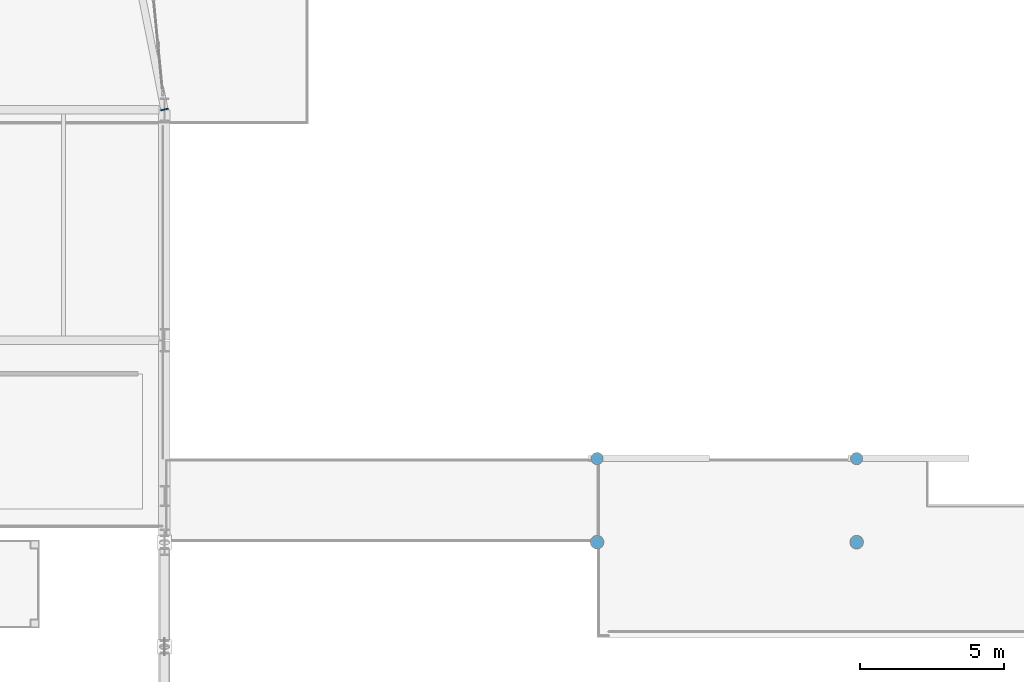
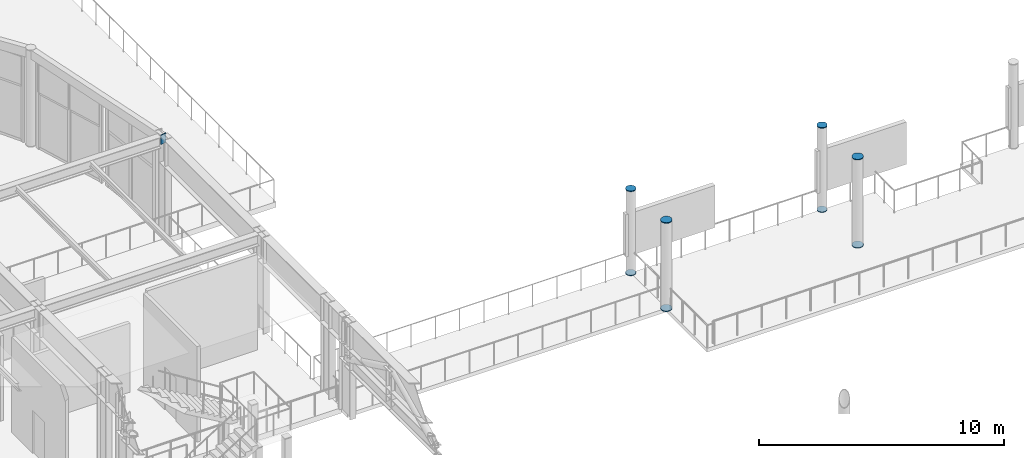
# One storey, part 112 of 143: 9 discrete accessories.
"""IFC4 building model written with IfcOpenShell, lengths in metres."""

from ifc_helpers import new_model, si_unit, direction, frame, origin, origin_2d, place, context, subcontext, project, spatial, rectangle, circle, extrude, material, element, save


model = new_model("IFC4")

# Units and contexts
model_context = context("Model", 3, precision=1e-05, world=origin(), true_north=direction((0.0, 1.0)))
body_context = subcontext(model_context, "Body", "Model", "MODEL_VIEW")
ifc_project = project(units=[si_unit("LENGTHUNIT", "METRE"), si_unit("AREAUNIT", "SQUARE_METRE"), si_unit("VOLUMEUNIT", "CUBIC_METRE"), si_unit("PLANEANGLEUNIT", "RADIAN"), si_unit("MASSUNIT", "GRAM", prefix="KILO")], contexts=[model_context])

# Site, building, storey
site_placement = place(None, origin())
site = spatial("IfcSite", under=ifc_project, at=site_placement, CompositionType="ELEMENT")
building_placement = place(site_placement, origin())
building = spatial("IfcBuilding", under=site, at=building_placement, Name="Marlcrest Central Station", CompositionType="ELEMENT")
storey_placement = place(building_placement, frame((0.0, 0.0, 4.800048828125)))
storey = spatial("IfcBuildingStorey", under=building, at=storey_placement, Name="L01", CompositionType="ELEMENT", Elevation=4.800048828125)

# Discrete accessories
ifc_material = material(Name="Steel S355", Category="steel")
for number, where, z_axis, x_axis, name in (
    (1, (144.0, 98.39990234375, -0.014892578125), (0.0, 0.0, 1.0), (1.0, 0.0, 0.0), "endcap-col-SC-10-L01-0503-s"),
    (2, (144.0, 98.39990234375, 4.175048828125), (0.0, 0.0, 1.0), (1.0, 0.0, 0.0), "endcap-col-SC-10-L01-0503-e"),
    (3, (153.0, 98.39990234375, -0.014892578125), (0.0, 0.0, 1.0), (1.0, 0.0, 0.0), "endcap-col-SC-10-L01-0504-s"),
    (4, (153.0, 98.39990234375, 4.175048828125), (0.0, 0.0, 1.0), (1.0, 0.0, 0.0), "endcap-col-SC-10-L01-0504-e"),
):
    element("IfcDiscreteAccessory", number, at=place(storey_placement, frame(where, z_axis=z_axis, x_axis=x_axis)), inside=storey, material=ifc_material, Name=name, ObjectType="END_CAP_PLATE", PredefinedType="BRACKET", context=body_context, shape_type="SweptSolid", body=[
        extrude(circle(Radius=0.211181640625, at=origin_2d()), origin(), (0.0, 0.0, 1.0), 0.0400390625),
    ])
for number, where, z_axis, x_axis, name in (
    (5, (144.0, 95.5, -0.014892578125), (0.0, 0.0, 1.0), (1.0, 0.0, 0.0), "endcap-col-SC-11-L01-0521-s"),
    (6, (144.0, 95.5, 4.375), (0.0, 0.0, 1.0), (1.0, 0.0, 0.0), "endcap-col-SC-11-L01-0521-e"),
    (7, (153.0, 95.5, -0.014892578125), (0.0, 0.0, 1.0), (1.0, 0.0, 0.0), "endcap-col-SC-11-L01-0532-s"),
    (8, (153.0, 95.5, 4.375), (0.0, 0.0, 1.0), (1.0, 0.0, 0.0), "endcap-col-SC-11-L01-0532-e"),
):
    element("IfcDiscreteAccessory", number, at=place(storey_placement, frame(where, z_axis=z_axis, x_axis=x_axis)), inside=storey, material=ifc_material, Name=name, ObjectType="END_CAP_PLATE", PredefinedType="BRACKET", context=body_context, shape_type="SweptSolid", body=[
        extrude(circle(Radius=0.236572265625, at=origin_2d()), origin(), (0.0, 0.0, 1.0), 0.0400390625),
    ])
discrete_accessory_placement = place(storey_placement, frame((128.9951171875, 110.5244140625, 4.58984375), z_axis=(0.19517056122, -0.980769316421, 0.0), x_axis=(0.980769316421, 0.19517056122, 0.0)))
element("IfcDiscreteAccessory", 9, at=discrete_accessory_placement, inside=storey, material=ifc_material, Name="endcap-bm-SP-02-L01-01465-e", ObjectType="END_CAP_PLATE", PredefinedType="BRACKET", context=body_context, shape_type="SweptSolid", body=[
    extrude(rectangle(XDim=0.26611328125, YDim=0.466064453125, at=origin_2d()), origin(), (0.0, 0.0, 1.0), 0.0400390625),
])

save(model, "model.ifc")
